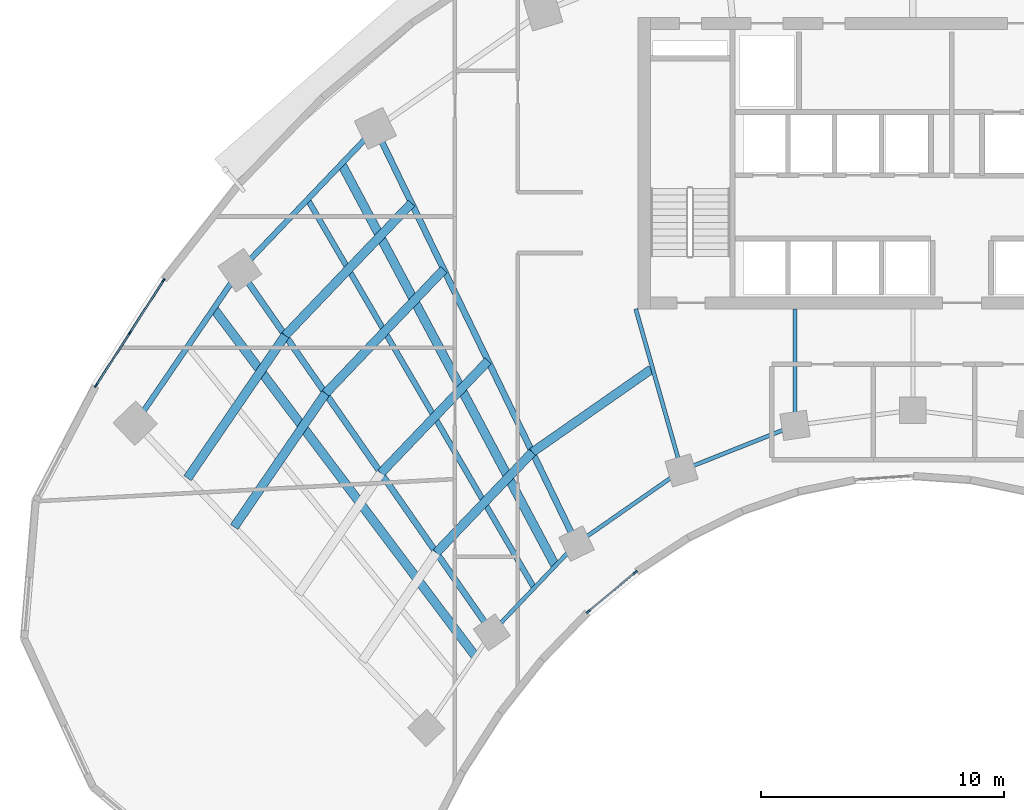
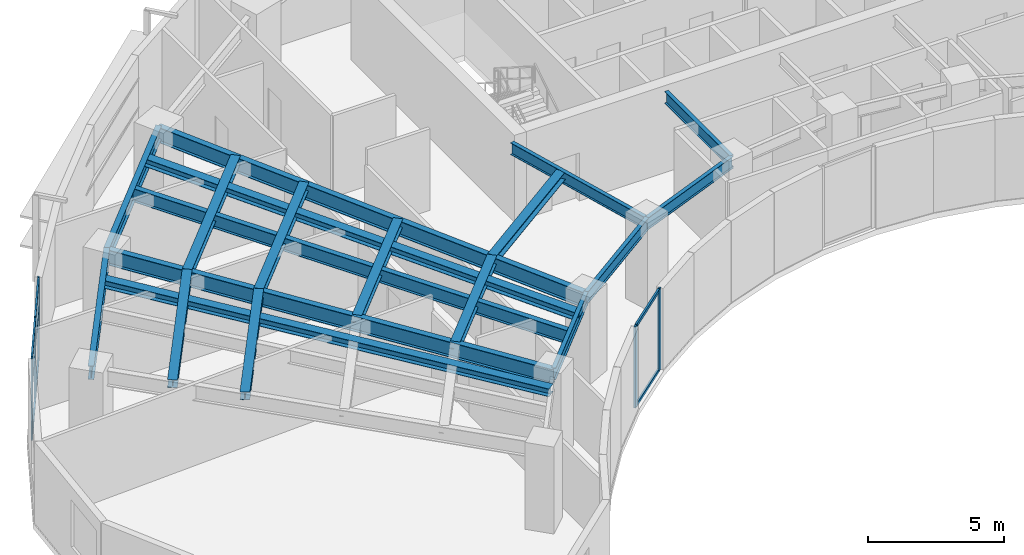
# One storey, part 2 of 13: 19 beams, 13 members, 2 elements without a shape of their own.
"""IFC4 building model written with IfcOpenShell, lengths in metres."""

from ifc_helpers import new_model, si_unit, direction, frame, origin, origin_2d, place, context, subcontext, project, spatial, rectangle, i_section, extrude, source, transform, mapped, material, layer, layer_set, material_profile, profile_set, type_object, type_shapes, element, aggregate, save


model = new_model("IFC4")

# Units and contexts
model_context = context("Model", 3, precision=1e-05, world=origin(), true_north=direction((0.0, 1.0)))
body_context = subcontext(model_context, "Body", "Model", "MODEL_VIEW")
ifc_project = project(units=[si_unit("LENGTHUNIT", "METRE"), si_unit("AREAUNIT", "SQUARE_METRE"), si_unit("VOLUMEUNIT", "CUBIC_METRE"), si_unit("PLANEANGLEUNIT", "RADIAN"), si_unit("MASSUNIT", "GRAM", prefix="KILO")], contexts=[model_context])

# Site, building, storey
site_placement = place(None, origin())
site = spatial("IfcSite", under=ifc_project, at=site_placement, CompositionType="ELEMENT")
building_placement = place(site_placement, origin())
building = spatial("IfcBuilding", under=site, at=building_placement, Name="Breltana Convention Tower", CompositionType="ELEMENT")
storey_placement = place(building_placement, frame((0.0, 0.0, 96.0)))
storey = spatial("IfcBuildingStorey", under=building, at=storey_placement, Name="L22", CompositionType="ELEMENT", Elevation=96.0)

# Beams
ifc_material_1 = material(Name="Steel ASTM A992 Grade 50", Category="steel")
ifc_material_profile_1 = material_profile(ifc_material_1, i_section(OverallWidth=0.25390625, OverallDepth=0.68798828125, WebThickness=0.01318359375, FlangeThickness=0.02099609375, at=origin_2d()), Name="W27X102")
ifc_profile_set_1 = profile_set([ifc_material_profile_1], Name="Steel ASTM A992 Grade 50")
beam_type_1 = type_object("IfcBeamType", Name="BM-RG-W27X102", PredefinedType="USERDEFINED", material=ifc_profile_set_1)
shared_shape_1 = source(origin(), body_context, "Body", "SweptSolid", [
    extrude(i_section(OverallWidth=0.25390625, OverallDepth=0.68798828125, WebThickness=0.01318359375, FlangeThickness=0.02099609375, at=origin_2d()), origin(), (0.0, 0.0, 1.0), 18.1484375),
])
beam_1_placement = place(storey_placement, frame((30.67724609375, 46.892333984375, 3.305908203125), z_axis=(-0.571207556098, 0.820805657788, 0.0), x_axis=(-0.820805657788, -0.571207556098, 0.0)))
element("IfcBeam", 1, at=beam_1_placement, inside=storey, type_object=beam_type_1, Name="L22 Radial Floor Girder R02", ObjectType="GIRDER", PredefinedType="USERDEFINED", context=body_context, shape_type="MappedRepresentation", body=[
    mapped(shared_shape_1, transform((0.0, 0.0, 0.0), scale=1.0)),
])
shared_shape_2 = source(origin(), body_context, "Body", "SweptSolid", [
    extrude(i_section(OverallWidth=0.25390625, OverallDepth=0.68798828125, WebThickness=0.01318359375, FlangeThickness=0.02099609375, at=origin_2d()), origin(), (0.0, 0.0, 1.0), 18.982421875),
])
beam_2_placement = place(storey_placement, frame((34.166259765625, 50.544921875, 3.305908203125), z_axis=(-0.436118560343, 0.89988921614, 0.0), x_axis=(-0.89988921614, -0.436118560343, 0.0)))
element("IfcBeam", 2, at=beam_2_placement, inside=storey, type_object=beam_type_1, Name="L22 Radial Floor Girder R03", ObjectType="GIRDER", PredefinedType="USERDEFINED", context=body_context, shape_type="MappedRepresentation", body=[
    mapped(shared_shape_2, transform((0.0, 0.0, 0.0), scale=1.0)),
])
ifc_material_profile_2 = material_profile(ifc_material_1, i_section(OverallWidth=0.166015625, OverallDepth=0.534912109375, WebThickness=0.01025390625, FlangeThickness=0.0166015625, at=origin_2d()), Name="W21X57")
ifc_profile_set_2 = profile_set([ifc_material_profile_2], Name="Steel ASTM A992 Grade 50")
beam_type_2 = type_object("IfcBeamType", Name="BM-BM-W21X57", PredefinedType="BEAM", material=ifc_profile_set_2)
shared_shape_3 = source(origin(), body_context, "Body", "SweptSolid", [
    extrude(i_section(OverallWidth=0.166015625, OverallDepth=0.534912109375, WebThickness=0.01025390625, FlangeThickness=0.0166015625, at=origin_2d()), origin(), (0.0, 0.0, 1.0), 6.904541015625),
])
type_shapes(beam_type_2, [shared_shape_3])
beam_3_placement = place(storey_placement, frame((36.60009765625, 60.199951171875, 3.382568359375), z_axis=(0.273006781054, -0.962012108811, 0.0), x_axis=(0.962012108811, 0.273006781054, 0.0)))
element("IfcBeam", 3, at=beam_3_placement, inside=storey, type_object=beam_type_2, Name="L22 South Core Tie Girder R04", PredefinedType="BEAM", context=body_context, shape_type="MappedRepresentation", body=[
    mapped(shared_shape_3, transform((0.0, 0.0, 0.0), scale=1.0)),
])
shared_shape_4 = source(origin(), body_context, "Body", "SweptSolid", [
    extrude(i_section(OverallWidth=0.166015625, OverallDepth=0.534912109375, WebThickness=0.01025390625, FlangeThickness=0.0166015625, at=origin_2d()), origin(), (0.0, 0.0, 1.0), 4.789306640625),
])
beam_4_placement = place(storey_placement, frame((43.153564453125, 60.199951171875, 3.382568359375), z_axis=(0.0, -1.0, 0.0), x_axis=(1.0, 0.0, 0.0)))
element("IfcBeam", 4, at=beam_4_placement, inside=storey, type_object=beam_type_2, Name="L22 South Core Tie Girder R05", PredefinedType="BEAM", context=body_context, shape_type="MappedRepresentation", body=[
    mapped(shared_shape_4, transform((0.0, 0.0, 0.0), scale=1.0)),
])
ifc_material_profile_3 = material_profile(ifc_material_1, i_section(OverallWidth=0.22802734375, OverallDepth=0.60791015625, WebThickness=0.01123046875, FlangeThickness=0.017333984375, at=origin_2d()), Name="W24X76")
ifc_profile_set_3 = profile_set([ifc_material_profile_3], Name="Steel ASTM A992 Grade 50")
beam_type_3 = type_object("IfcBeamType", Name="BM-SP-W24X76", PredefinedType="SPANDREL", material=ifc_profile_set_3)
shared_shape_5 = source(origin(), body_context, "Body", "SweptSolid", [
    extrude(i_section(OverallWidth=0.22802734375, OverallDepth=0.60791015625, WebThickness=0.01123046875, FlangeThickness=0.017333984375, at=origin_2d()), origin(), (0.0, 0.0, 1.0), 7.625),
])
type_shapes(beam_type_3, [shared_shape_5])
beam_5_placement = place(storey_placement, frame((16.0068359375, 55.494384765625, 3.345947265625), z_axis=(0.564452031902, 0.825465870694, 0.0), x_axis=(-0.825465870694, 0.564452031902, 0.0)))
element("IfcBeam", 5, at=beam_5_placement, inside=storey, type_object=beam_type_3, Name="L22 Outer Spandrel Beam 01", PredefinedType="SPANDREL", context=body_context, shape_type="MappedRepresentation", body=[
    mapped(shared_shape_5, transform((0.0, 0.0, 0.0), scale=1.0)),
])
shared_shape_6 = source(origin(), body_context, "Body", "SweptSolid", [
    extrude(i_section(OverallWidth=0.166015625, OverallDepth=0.534912109375, WebThickness=0.01025390625, FlangeThickness=0.0166015625, at=origin_2d()), origin(), (0.0, 0.0, 1.0), 5.05126953125),
])
beam_6_placement = place(storey_placement, frame((30.67724609375, 46.892333984375, 3.382568359375), z_axis=(0.690729753845, 0.7231129975, 0.0), x_axis=(-0.7231129975, 0.690729753845, 0.0)))
element("IfcBeam", 6, at=beam_6_placement, inside=storey, type_object=beam_type_2, Name="L22 Inner Ring Beam 02", PredefinedType="BEAM", context=body_context, shape_type="MappedRepresentation", body=[
    mapped(shared_shape_6, transform((0.0, 0.0, 0.0), scale=1.0)),
])
shared_shape_7 = source(origin(), body_context, "Body", "SweptSolid", [
    extrude(i_section(OverallWidth=0.22802734375, OverallDepth=0.60791015625, WebThickness=0.01123046875, FlangeThickness=0.017333984375, at=origin_2d()), origin(), (0.0, 0.0, 1.0), 8.073974609375),
])
beam_7_placement = place(storey_placement, frame((20.310791015625, 61.78857421875, 3.345947265625), z_axis=(0.69072885448, 0.723113856588, 0.0), x_axis=(-0.723113856588, 0.69072885448, 0.0)))
element("IfcBeam", 7, at=beam_7_placement, inside=storey, type_object=beam_type_3, Name="L22 Outer Spandrel Beam 02", PredefinedType="SPANDREL", context=body_context, shape_type="MappedRepresentation", body=[
    mapped(shared_shape_7, transform((0.0, 0.0, 0.0), scale=1.0)),
])
shared_shape_8 = source(origin(), body_context, "Body", "SweptSolid", [
    extrude(i_section(OverallWidth=0.166015625, OverallDepth=0.534912109375, WebThickness=0.01025390625, FlangeThickness=0.0166015625, at=origin_2d()), origin(), (0.0, 0.0, 1.0), 5.265869140625),
])
beam_8_placement = place(storey_placement, frame((34.166259765625, 50.544921875, 3.382568359375), z_axis=(0.820167429517, 0.572123577176, 0.0), x_axis=(-0.572123577176, 0.820167429517, 0.0)))
element("IfcBeam", 8, at=beam_8_placement, inside=storey, type_object=beam_type_2, Name="L22 Inner Ring Beam 03", PredefinedType="BEAM", context=body_context, shape_type="MappedRepresentation", body=[
    mapped(shared_shape_8, transform((0.0, 0.0, 0.0), scale=1.0)),
])
shared_shape_9 = source(origin(), body_context, "Body", "SweptSolid", [
    extrude(i_section(OverallWidth=0.166015625, OverallDepth=0.534912109375, WebThickness=0.01025390625, FlangeThickness=0.0166015625, at=origin_2d()), origin(), (0.0, 0.0, 1.0), 5.022705078125),
])
beam_9_placement = place(storey_placement, frame((38.485107421875, 53.5576171875, 3.382568359375), z_axis=(0.929458966248, 0.368925507469, 0.0), x_axis=(-0.368925507469, 0.929458966248, 0.0)))
element("IfcBeam", 9, at=beam_9_placement, inside=storey, type_object=beam_type_2, Name="L22 Inner Ring Beam 04", PredefinedType="BEAM", context=body_context, shape_type="MappedRepresentation", body=[
    mapped(shared_shape_9, transform((0.0, 0.0, 0.0), scale=1.0)),
])
ifc_material_profile_4 = material_profile(ifc_material_1, i_section(OverallWidth=0.368896484375, OverallDepth=0.35595703125, WebThickness=0.01123046875, FlangeThickness=0.01806640625, at=origin_2d()), Name="W14X90")
ifc_profile_set_4 = profile_set([ifc_material_profile_4], Name="Steel ASTM A992 Grade 50")
beam_type_4 = type_object("IfcBeamType", Name="BM-JSG-09", PredefinedType="JOIST", material=ifc_profile_set_4)
shared_shape_10 = source(origin(), body_context, "Body", "SweptSolid", [
    extrude(i_section(OverallWidth=0.368896484375, OverallDepth=0.35595703125, WebThickness=0.01123046875, FlangeThickness=0.01806640625, at=origin_2d()), origin(), (0.0, 0.0, 1.0), 6.654541015625),
])
beam_10_placement = place(storey_placement, frame((20.0791015625, 51.23095703125, 3.471923828125), z_axis=(0.564482668195, 0.82544492082, 0.0), x_axis=(-0.82544492082, 0.564482668195, 0.0)))
element("IfcBeam", 10, at=beam_10_placement, inside=storey, type_object=beam_type_4, Name="L22 Composite Floor Joist 01.3", PredefinedType="JOIST", context=body_context, shape_type="MappedRepresentation", body=[
    mapped(shared_shape_10, transform((0.0, 0.0, 0.0), scale=1.0)),
])
shared_shape_11 = source(origin(), body_context, "Body", "SweptSolid", [
    extrude(i_section(OverallWidth=0.368896484375, OverallDepth=0.35595703125, WebThickness=0.01123046875, FlangeThickness=0.01806640625, at=origin_2d()), origin(), (0.0, 0.0, 1.0), 7.111328125),
])
beam_11_placement = place(storey_placement, frame((18.162841796875, 53.2373046875, 3.471923828125), z_axis=(0.564446356178, 0.825469751715, 0.0), x_axis=(-0.825469751715, 0.564446356178, 0.0)))
element("IfcBeam", 11, at=beam_11_placement, inside=storey, type_object=beam_type_4, Name="L22 Composite Floor Joist 01.4", PredefinedType="JOIST", context=body_context, shape_type="MappedRepresentation", body=[
    mapped(shared_shape_11, transform((0.0, 0.0, 0.0), scale=1.0)),
])
shared_shape_12 = source(origin(), body_context, "Body", "SweptSolid", [
    extrude(i_section(OverallWidth=0.368896484375, OverallDepth=0.35595703125, WebThickness=0.01123046875, FlangeThickness=0.01806640625, at=origin_2d()), origin(), (0.0, 0.0, 1.0), 17.9072265625),
])
beam_12_placement = place(storey_placement, frame((30.00390625, 45.907958984375, 3.471923828125), z_axis=(-0.601382105028, 0.798961553363, 0.0), x_axis=(-0.798961553363, -0.601382105028, 0.0)))
element("IfcBeam", 12, at=beam_12_placement, inside=storey, type_object=beam_type_4, Name="L22 Quarter-Bay Radial Trimmer 01", PredefinedType="JOIST", context=body_context, shape_type="MappedRepresentation", body=[
    mapped(shared_shape_12, transform((0.0, 0.0, 0.0), scale=1.0)),
])
shared_shape_13 = source(origin(), body_context, "Body", "SweptSolid", [
    extrude(i_section(OverallWidth=0.368896484375, OverallDepth=0.35595703125, WebThickness=0.01123046875, FlangeThickness=0.01806640625, at=origin_2d()), origin(), (0.0, 0.0, 1.0), 5.716064453125),
])
beam_13_placement = place(storey_placement, frame((28.396484375, 50.169677734375, 3.471923828125), z_axis=(0.690756060045, 0.723087868458, 0.0), x_axis=(-0.723087868458, 0.690756060045, 0.0)))
element("IfcBeam", 13, at=beam_13_placement, inside=storey, type_object=beam_type_4, Name="L22 Composite Floor Joist 02.1", PredefinedType="JOIST", context=body_context, shape_type="MappedRepresentation", body=[
    mapped(shared_shape_13, transform((0.0, 0.0, 0.0), scale=1.0)),
])
shared_shape_14 = source(origin(), body_context, "Body", "SweptSolid", [
    extrude(i_section(OverallWidth=0.368896484375, OverallDepth=0.35595703125, WebThickness=0.01123046875, FlangeThickness=0.01806640625, at=origin_2d()), origin(), (0.0, 0.0, 1.0), 6.381103515625),
])
beam_14_placement = place(storey_placement, frame((26.115966796875, 53.44677734375, 3.471923828125), z_axis=(0.690737768889, 0.723105341309, 0.0), x_axis=(-0.723105341309, 0.690737768889, 0.0)))
element("IfcBeam", 14, at=beam_14_placement, inside=storey, type_object=beam_type_4, Name="L22 Composite Floor Joist 02.2", PredefinedType="JOIST", context=body_context, shape_type="MappedRepresentation", body=[
    mapped(shared_shape_14, transform((0.0, 0.0, 0.0), scale=1.0)),
])
shared_shape_15 = source(origin(), body_context, "Body", "SweptSolid", [
    extrude(i_section(OverallWidth=0.368896484375, OverallDepth=0.35595703125, WebThickness=0.01123046875, FlangeThickness=0.01806640625, at=origin_2d()), origin(), (0.0, 0.0, 1.0), 7.046142578125),
])
beam_15_placement = place(storey_placement, frame((23.83544921875, 56.723876953125, 3.471923828125), z_axis=(0.690722929904, 0.723119515782, 0.0), x_axis=(-0.723119515782, 0.690722929904, 0.0)))
element("IfcBeam", 15, at=beam_15_placement, inside=storey, type_object=beam_type_4, Name="L22 Composite Floor Joist 02.3", PredefinedType="JOIST", context=body_context, shape_type="MappedRepresentation", body=[
    mapped(shared_shape_15, transform((0.0, 0.0, 0.0), scale=1.0)),
])
shared_shape_16 = source(origin(), body_context, "Body", "SweptSolid", [
    extrude(i_section(OverallWidth=0.368896484375, OverallDepth=0.35595703125, WebThickness=0.01123046875, FlangeThickness=0.01806640625, at=origin_2d()), origin(), (0.0, 0.0, 1.0), 7.529541015625),
])
beam_16_placement = place(storey_placement, frame((22.1767578125, 59.107421875, 3.471923828125), z_axis=(0.690725562031, 0.723117001568, 0.0), x_axis=(-0.723117001568, 0.690725562031, 0.0)))
element("IfcBeam", 16, at=beam_16_placement, inside=storey, type_object=beam_type_4, Name="L22 Composite Floor Joist 02.4", PredefinedType="JOIST", context=body_context, shape_type="MappedRepresentation", body=[
    mapped(shared_shape_16, transform((0.0, 0.0, 0.0), scale=1.0)),
])
ifc_material_profile_5 = material_profile(ifc_material_1, i_section(OverallWidth=0.22802734375, OverallDepth=0.60791015625, WebThickness=0.01123046875, FlangeThickness=0.017333984375, at=origin_2d()), Name="W24X76")
ifc_profile_set_5 = profile_set([ifc_material_profile_5], Name="Steel ASTM A992 Grade 50")
beam_type_5 = type_object("IfcBeamType", Name="BM-JSG-02", PredefinedType="JOIST", material=ifc_profile_set_5)
shared_shape_17 = source(origin(), body_context, "Body", "SweptSolid", [
    extrude(i_section(OverallWidth=0.22802734375, OverallDepth=0.60791015625, WebThickness=0.01123046875, FlangeThickness=0.017333984375, at=origin_2d()), origin(), (0.0, 0.0, 1.0), 18.50830078125),
])
beam_17_placement = place(storey_placement, frame((32.421630859375, 48.71875, 3.345947265625), z_axis=(-0.50368319637, 0.863888440537, 0.0), x_axis=(-0.863888440537, -0.50368319637, 0.0)))
element("IfcBeam", 17, at=beam_17_placement, inside=storey, type_object=beam_type_5, Name="L22 Mid-Bay Radial Trimmer 02", PredefinedType="JOIST", context=body_context, shape_type="MappedRepresentation", body=[
    mapped(shared_shape_17, transform((0.0, 0.0, 0.0), scale=1.0)),
])
shared_shape_18 = source(origin(), body_context, "Body", "SweptSolid", [
    extrude(i_section(OverallWidth=0.368896484375, OverallDepth=0.35595703125, WebThickness=0.01123046875, FlangeThickness=0.01806640625, at=origin_2d()), origin(), (0.0, 0.0, 1.0), 18.731689453125),
])
beam_18_placement = place(storey_placement, frame((33.2939453125, 49.6318359375, 3.471923828125), z_axis=(-0.469820250451, 0.882762104004, 0.0), x_axis=(-0.882762104004, -0.469820250451, 0.0)))
element("IfcBeam", 18, at=beam_18_placement, inside=storey, type_object=beam_type_4, Name="L22 Quarter-Bay Radial Trimmer 02", PredefinedType="JOIST", context=body_context, shape_type="MappedRepresentation", body=[
    mapped(shared_shape_18, transform((0.0, 0.0, 0.0), scale=1.0)),
])
shared_shape_19 = source(origin(), body_context, "Body", "SweptSolid", [
    extrude(i_section(OverallWidth=0.368896484375, OverallDepth=0.35595703125, WebThickness=0.01123046875, FlangeThickness=0.01806640625, at=origin_2d()), origin(), (0.0, 0.0, 1.0), 5.959228515625),
])
beam_19_placement = place(storey_placement, frame((32.344970703125, 54.302978515625, 3.471923828125), z_axis=(0.820160485262, 0.572133531979, 0.0), x_axis=(-0.572133531979, 0.820160485262, 0.0)))
element("IfcBeam", 19, at=beam_19_placement, inside=storey, type_object=beam_type_4, Name="L22 Composite Floor Joist 03.1", PredefinedType="JOIST", context=body_context, shape_type="MappedRepresentation", body=[
    mapped(shared_shape_19, transform((0.0, 0.0, 0.0), scale=1.0)),
])

# Curtain wall, members
ifc_material_2 = material(Name="Aluminium Anodised Bronze Frame", Category="aluminium")
ifc_layer_1 = layer(ifc_material_2, 0.18994140625, Name="Aluminium Anodised Bronze Frame")
ifc_layer_set_1 = layer_set([ifc_layer_1], Name="Aluminium Anodised Bronze Frame")
curtain_wall_type_1 = type_object("IfcCurtainWallType", Name="CW-SYS-1", PredefinedType="NOTDEFINED", material=ifc_layer_set_1)
curtain_wall_1_placement = place(storey_placement, origin())
curtain_wall_1 = element("IfcCurtainWall", 20, at=curtain_wall_1_placement, inside=storey, type_object=curtain_wall_type_1, Name="L22 inner south-court glazing 5", PredefinedType="NOTDEFINED")
ifc_material_3 = material(Name="Aluminium Anodised Bronze", Category="aluminium")
ifc_material_profile_6 = material_profile(ifc_material_3, rectangle(XDim=0.080078125, YDim=0.199951171875, at=origin_2d()), Name="CWM-80X200")
ifc_profile_set_6 = profile_set([ifc_material_profile_6], Name="Aluminium Anodised Bronze")
member_type_1 = type_object("IfcMemberType", Name="CWM-200", PredefinedType="MULLION", material=ifc_profile_set_6)
shared_shape_20 = source(origin(), body_context, "Body", "SweptSolid", [
    extrude(rectangle(XDim=0.080078125, YDim=0.199951171875, at=origin_2d()), origin(), (0.0, 0.0, 1.0), 3.64990234375),
])
member_1_placement = place(storey_placement, frame((36.582275390625, 49.361328125, 0.0), z_axis=(0.0, 0.0, 1.0), x_axis=(0.640520924036, -0.76794071768, 0.0)))
member_1 = element("IfcMember", 21, at=member_1_placement, type_object=member_type_1, Name="CW-01 mullion 1", PredefinedType="MULLION", context=body_context, shape_type="MappedRepresentation", body=[
    mapped(shared_shape_20, transform((0.0, 0.0, 0.0), scale=1.0)),
])
member_2_placement = place(storey_placement, frame((34.646240234375, 47.746826171875, 0.0), z_axis=(0.0, 0.0, 1.0), x_axis=(0.640520924036, -0.76794071768, 0.0)))
member_2 = element("IfcMember", 22, at=member_2_placement, type_object=member_type_1, Name="CW-01 mullion 2", PredefinedType="MULLION", context=body_context, shape_type="MappedRepresentation", body=[
    mapped(shared_shape_20, transform((0.0, 0.0, 0.0), scale=1.0)),
])
ifc_material_profile_7 = material_profile(ifc_material_3, rectangle(XDim=0.080078125, YDim=0.139892578125, at=origin_2d()), Name="CWT-80X140")
ifc_profile_set_7 = profile_set([ifc_material_profile_7], Name="Aluminium Anodised Bronze")
member_type_2 = type_object("IfcMemberType", Name="CWT-140", PredefinedType="USERDEFINED", material=ifc_profile_set_7)
shared_shape_21 = source(origin(), body_context, "Body", "SweptSolid", [
    extrude(rectangle(XDim=0.080078125, YDim=0.139892578125, at=origin_2d()), origin(), (0.0, 0.0, 1.0), 2.44091796875),
])
member_3_placement = place(storey_placement, frame((36.551513671875, 49.335693359375, 0.0400390625), z_axis=(-0.767991664717, -0.64045983709, 0.0), x_axis=(0.64045983709, -0.767991664717, 0.0)))
member_3 = element("IfcMember", 23, at=member_3_placement, type_object=member_type_2, Name="CW-01 transom 1.1", ObjectType="TRANSOM", PredefinedType="USERDEFINED", context=body_context, shape_type="MappedRepresentation", body=[
    mapped(shared_shape_21, transform((0.0, 0.0, 0.0), scale=1.0)),
])
member_4_placement = place(storey_placement, frame((36.551513671875, 49.335693359375, 3.610107421875), z_axis=(-0.767991664717, -0.64045983709, 0.0), x_axis=(0.64045983709, -0.767991664717, 0.0)))
member_4 = element("IfcMember", 24, at=member_4_placement, type_object=member_type_2, Name="CW-01 transom 1.2", ObjectType="TRANSOM", PredefinedType="USERDEFINED", context=body_context, shape_type="MappedRepresentation", body=[
    mapped(shared_shape_21, transform((0.0, 0.0, 0.0), scale=1.0)),
])
aggregate(curtain_wall_1, [member_1, member_2, member_3, member_4])

ifc_layer_2 = layer(ifc_material_2, 0.22998046875, Name="Aluminium Anodised Bronze Frame")
ifc_layer_set_2 = layer_set([ifc_layer_2], Name="Aluminium Anodised Bronze Frame")
curtain_wall_type_2 = type_object("IfcCurtainWallType", Name="CW-SYS-5", PredefinedType="NOTDEFINED", material=ifc_layer_set_2)
curtain_wall_2_placement = place(storey_placement, origin())
curtain_wall_2 = element("IfcCurtainWall", 25, at=curtain_wall_2_placement, inside=storey, type_object=curtain_wall_type_2, Name="L22 outer double-skin inner glazing 1", PredefinedType="NOTDEFINED")
ifc_material_profile_8 = material_profile(ifc_material_3, rectangle(XDim=0.070068359375, YDim=0.175048828125, at=origin_2d()), Name="CWM-70X175")
ifc_profile_set_8 = profile_set([ifc_material_profile_8], Name="Aluminium Anodised Bronze")
member_type_3 = type_object("IfcMemberType", Name="CWM-175", PredefinedType="MULLION", material=ifc_profile_set_8)
shared_shape_22 = source(origin(), body_context, "Body", "SweptSolid", [
    extrude(rectangle(XDim=0.070068359375, YDim=0.175048828125, at=origin_2d()), origin(), (0.0, 0.0, 1.0), 3.64990234375),
])
member_5_placement = place(storey_placement, frame((14.395751953125, 57.049560546875, 0.0), z_axis=(0.0, 0.0, 1.0), x_axis=(-0.84155155167, 0.540176809834, 0.0)))
member_5 = element("IfcMember", 26, at=member_5_placement, type_object=member_type_3, Name="CW-05 mullion 1", PredefinedType="MULLION", context=body_context, shape_type="MappedRepresentation", body=[
    mapped(shared_shape_22, transform((0.0, 0.0, 0.0), scale=1.0)),
])
member_6_placement = place(storey_placement, frame((15.78271484375, 59.210205078125, 0.0), z_axis=(0.0, 0.0, 1.0), x_axis=(-0.84155155167, 0.540176809834, 0.0)))
member_6 = element("IfcMember", 27, at=member_6_placement, type_object=member_type_3, Name="CW-05 mullion 2", PredefinedType="MULLION", context=body_context, shape_type="MappedRepresentation", body=[
    mapped(shared_shape_22, transform((0.0, 0.0, 0.0), scale=1.0)),
])
member_7_placement = place(storey_placement, frame((17.169677734375, 61.370849609375, 0.0), z_axis=(0.0, 0.0, 1.0), x_axis=(-0.84155155167, 0.540176809834, 0.0)))
member_7 = element("IfcMember", 28, at=member_7_placement, type_object=member_type_3, Name="CW-05 mullion 3", PredefinedType="MULLION", context=body_context, shape_type="MappedRepresentation", body=[
    mapped(shared_shape_22, transform((0.0, 0.0, 0.0), scale=1.0)),
])
ifc_material_profile_9 = material_profile(ifc_material_3, rectangle(XDim=0.070068359375, YDim=0.1201171875, at=origin_2d()), Name="CWT-70X120")
ifc_profile_set_9 = profile_set([ifc_material_profile_9], Name="Aluminium Anodised Bronze")
member_type_4 = type_object("IfcMemberType", Name="CWT-120", PredefinedType="USERDEFINED", material=ifc_profile_set_9)
shared_shape_23 = source(origin(), body_context, "Body", "SweptSolid", [
    extrude(rectangle(XDim=0.070068359375, YDim=0.1201171875, at=origin_2d()), origin(), (0.0, 0.0, 1.0), 2.49755859375),
])
member_8_placement = place(storey_placement, frame((14.41455078125, 57.078857421875, 0.034912109375), z_axis=(0.540179419124, 0.841549876808, 0.0), x_axis=(-0.841549876808, 0.540179419124, 0.0)))
member_8 = element("IfcMember", 29, at=member_8_placement, type_object=member_type_4, Name="CW-05 transom 1.1", ObjectType="TRANSOM", PredefinedType="USERDEFINED", context=body_context, shape_type="MappedRepresentation", body=[
    mapped(shared_shape_23, transform((0.0, 0.0, 0.0), scale=1.0)),
])
member_9_placement = place(storey_placement, frame((14.41455078125, 57.078857421875, 2.37255859375), z_axis=(0.540179419124, 0.841549876808, 0.0), x_axis=(-0.841549876808, 0.540179419124, 0.0)))
member_9 = element("IfcMember", 30, at=member_9_placement, type_object=member_type_4, Name="CW-05 transom 1.2", ObjectType="TRANSOM", PredefinedType="USERDEFINED", context=body_context, shape_type="MappedRepresentation", body=[
    mapped(shared_shape_23, transform((0.0, 0.0, 0.0), scale=1.0)),
])
member_10_placement = place(storey_placement, frame((14.41455078125, 57.078857421875, 3.614990234375), z_axis=(0.540179419124, 0.841549876808, 0.0), x_axis=(-0.841549876808, 0.540179419124, 0.0)))
member_10 = element("IfcMember", 31, at=member_10_placement, type_object=member_type_4, Name="CW-05 transom 1.3", ObjectType="TRANSOM", PredefinedType="USERDEFINED", context=body_context, shape_type="MappedRepresentation", body=[
    mapped(shared_shape_23, transform((0.0, 0.0, 0.0), scale=1.0)),
])
member_11_placement = place(storey_placement, frame((15.801513671875, 59.23974609375, 0.034912109375), z_axis=(0.540179419124, 0.841549876808, 0.0), x_axis=(-0.841549876808, 0.540179419124, 0.0)))
member_11 = element("IfcMember", 32, at=member_11_placement, type_object=member_type_4, Name="CW-05 transom 2.1", ObjectType="TRANSOM", PredefinedType="USERDEFINED", context=body_context, shape_type="MappedRepresentation", body=[
    mapped(shared_shape_23, transform((0.0, 0.0, 0.0), scale=1.0)),
])
member_12_placement = place(storey_placement, frame((15.801513671875, 59.23974609375, 2.37255859375), z_axis=(0.540179419124, 0.841549876808, 0.0), x_axis=(-0.841549876808, 0.540179419124, 0.0)))
member_12 = element("IfcMember", 33, at=member_12_placement, type_object=member_type_4, Name="CW-05 transom 2.2", ObjectType="TRANSOM", PredefinedType="USERDEFINED", context=body_context, shape_type="MappedRepresentation", body=[
    mapped(shared_shape_23, transform((0.0, 0.0, 0.0), scale=1.0)),
])
member_13_placement = place(storey_placement, frame((15.801513671875, 59.23974609375, 3.614990234375), z_axis=(0.540179419124, 0.841549876808, 0.0), x_axis=(-0.841549876808, 0.540179419124, 0.0)))
member_13 = element("IfcMember", 34, at=member_13_placement, type_object=member_type_4, Name="CW-05 transom 2.3", ObjectType="TRANSOM", PredefinedType="USERDEFINED", context=body_context, shape_type="MappedRepresentation", body=[
    mapped(shared_shape_23, transform((0.0, 0.0, 0.0), scale=1.0)),
])
aggregate(curtain_wall_2, [member_5, member_6, member_7, member_8, member_9, member_10, member_11, member_12, member_13])

save(model, "model.ifc")
